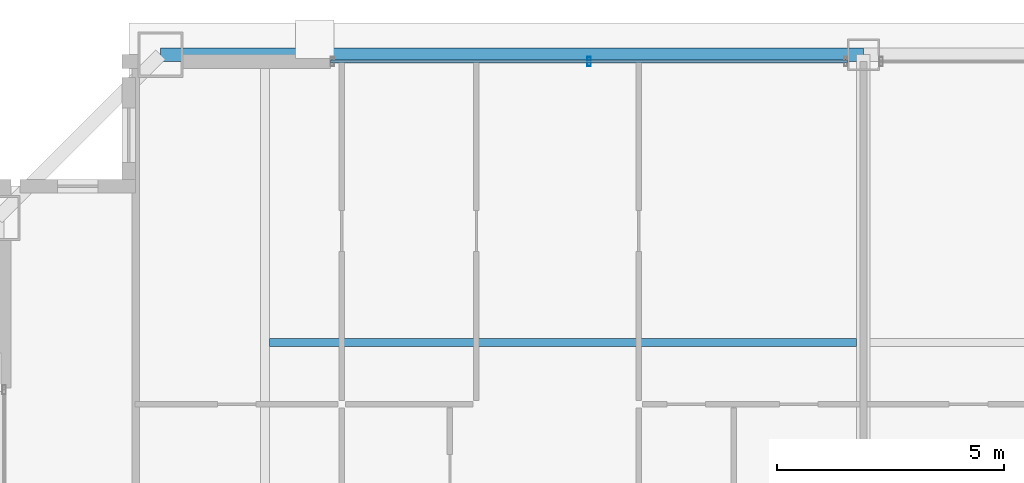
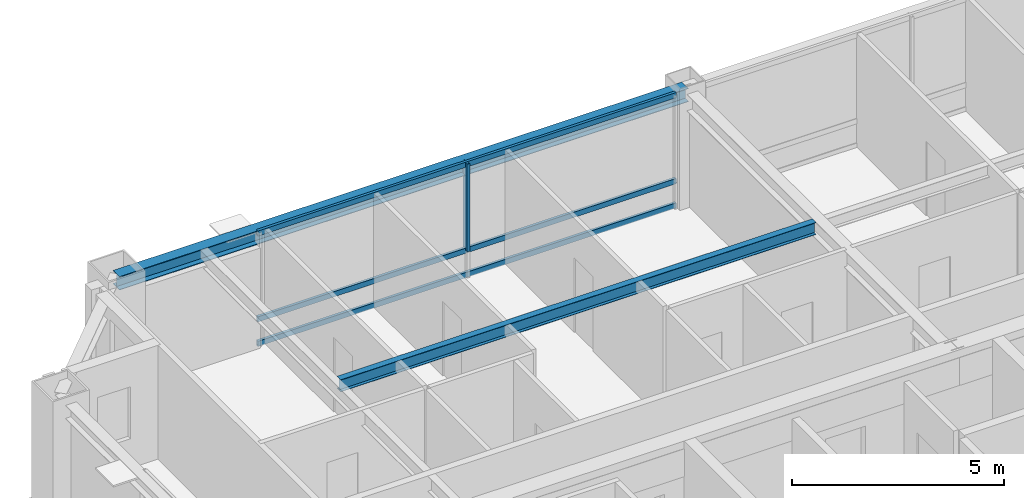
# One storey, part 17 of 35: 4 members, 2 beams, 1 element without a shape of its own.
"""IFC4 building model written with IfcOpenShell, lengths in metres."""

import ifcopenshell
import ifcopenshell.guid

model = None  # the IFC model being written
_history = None  # IfcOwnerHistory: only IFC2X3 demands one
_inside = {}  # id of a spatial element -> (the spatial element, [elements in it])
_under = {}  # id of a project, library or spatial element -> (it, [spatial elements below it])
_declared = {}  # id of a project -> (the project, [libraries it declares])
_typed = {}  # id of a type object -> (the type object, [elements of that type])
_made_of = {}  # id of a material, layer set ... -> (it, [elements and type objects made of it])


def new_model(schema):
    """Start an empty IFC model of exactly this schema.

    Asked for "IFC4X3", IfcOpenShell would pick the latest addendum, in which some entities
    have other attributes; the version numbers below select the first issue.
    IFC2X3 requires an IfcOwnerHistory on every rooted entity: one is made here for all.
    """
    global model, _history
    if schema == "IFC4X3":
        model = ifcopenshell.file(schema_version=(4, 3, 0, 0))
    else:
        model = ifcopenshell.file(schema=schema)
    _inside.clear()
    _under.clear()
    _declared.clear()
    _typed.clear()
    _made_of.clear()
    _history = None
    if model.schema == "IFC2X3":
        org = make("IfcOrganization", Name="unknown")
        user = make(
            "IfcPersonAndOrganization",
            ThePerson=make("IfcPerson", FamilyName="unknown"),
            TheOrganization=org,
        )
        app = make(
            "IfcApplication",
            ApplicationDeveloper=org,
            Version="unknown",
            ApplicationFullName="unknown",
            ApplicationIdentifier="unknown",
        )
        _history = make(
            "IfcOwnerHistory",
            OwningUser=user,
            OwningApplication=app,
            ChangeAction="ADDED",
            CreationDate=0,
        )
    return model


def make(cls, **values):
    """One entity of the class cls with the attributes given. An attribute that is None is left unset."""
    return model.create_entity(
        cls, **{name: value for name, value in values.items() if value is not None}
    )


def rooted(cls, **values):
    """An entity with a GlobalId (a new one), such as an element, a storey or a relation."""
    return make(cls, GlobalId=ifcopenshell.guid.new(), OwnerHistory=_history, **values)


def si_unit(unit_type, name, prefix=None):
    """IfcSIUnit, for example si_unit("LENGTHUNIT", "METRE", prefix="MILLI")."""
    return make("IfcSIUnit", UnitType=unit_type, Prefix=prefix, Name=name)


def assignment(units):
    """IfcUnitAssignment: the units of a project."""
    return None if units is None else make("IfcUnitAssignment", Units=units)


def point(xyz):
    """IfcCartesianPoint."""
    return None if xyz is None else make("IfcCartesianPoint", Coordinates=xyz)


def direction(xyz):
    """IfcDirection."""
    return None if xyz is None else make("IfcDirection", DirectionRatios=xyz)


def frame(location, z_axis=None, x_axis=None):
    """IfcAxis2Placement3D, a coordinate frame: its origin and axes. An axis left out is left unset."""
    return make(
        "IfcAxis2Placement3D",
        Location=point(location),
        Axis=direction(z_axis),
        RefDirection=direction(x_axis),
    )


def frame_2d(location, x_axis=None):
    """IfcAxis2Placement2D, a coordinate frame in the plane: its origin and x axis."""
    return make(
        "IfcAxis2Placement2D", Location=point(location), RefDirection=direction(x_axis)
    )


def origin():
    """The frame at (0, 0, 0) with its axes left unset."""
    return frame((0.0, 0.0, 0.0))


def origin_2d():
    """The frame at (0, 0) in the plane with its x axis left unset."""
    return frame_2d((0.0, 0.0))


def place(relative_to, where):
    """IfcLocalPlacement: puts the frame where relative to a parent placement (None: the world)."""
    return make(
        "IfcLocalPlacement", PlacementRelTo=relative_to, RelativePlacement=where
    )


def context(
    kind, dimensions, precision=None, world=None, true_north=None, identifier=None
):
    """IfcGeometricRepresentationContext, for example the 3D "Model" context."""
    return make(
        "IfcGeometricRepresentationContext",
        ContextIdentifier=identifier,
        ContextType=kind,
        CoordinateSpaceDimension=dimensions,
        Precision=precision,
        WorldCoordinateSystem=world,
        TrueNorth=true_north,
    )


def subcontext(parent, identifier, kind, view, scale=None):
    """IfcGeometricRepresentationSubContext, for example "Body" below "Model"."""
    return make(
        "IfcGeometricRepresentationSubContext",
        ContextIdentifier=identifier,
        ContextType=kind,
        ParentContext=parent,
        TargetScale=scale,
        TargetView=view,
    )


def project(units=None, contexts=None):
    """IfcProject with its units and contexts."""
    return rooted(
        "IfcProject",
        Name="project",
        RepresentationContexts=contexts,
        UnitsInContext=assignment(units),
    )


def spatial(cls, under=None, at=None, **own):
    """A site, building, storey or space (cls), placed at a placement, below another one or the project."""
    s = rooted(cls, ObjectPlacement=at, **own)
    if under is not None:
        _under.setdefault(under.id(), (under, []))[1].append(s)
    return s


def profile(cls, at=None, kind="AREA", **sizes):
    """A parametric profile (cls). Its sizes go by their IFC names, for example OverallWidth=200.0."""
    return make(cls, ProfileType=kind, Position=at, **sizes)


def hollow_rectangle(**sizes):
    """IfcRectangleHollowProfileDef."""
    return profile("IfcRectangleHollowProfileDef", **sizes)


def i_section(**sizes):
    """IfcIShapeProfileDef."""
    return profile("IfcIShapeProfileDef", **sizes)


def extrude(swept, where, along, depth):
    """IfcExtrudedAreaSolid: the profile swept, set in the frame where, extruded along a direction by depth."""
    return make(
        "IfcExtrudedAreaSolid",
        SweptArea=swept,
        Position=where,
        ExtrudedDirection=direction(along),
        Depth=depth,
    )


def shape(context_of_items, identifier, shape_type, items):
    """IfcShapeRepresentation: the items that make up one representation, for example the "Body"."""
    return make(
        "IfcShapeRepresentation",
        ContextOfItems=context_of_items,
        RepresentationIdentifier=identifier,
        RepresentationType=shape_type,
        Items=items,
    )


def source(mapping_origin, context_of_items, identifier, shape_type, items):
    """IfcRepresentationMap: a shape defined once, which mapped items show again and again."""
    return make(
        "IfcRepresentationMap",
        MappingOrigin=mapping_origin,
        MappedRepresentation=shape(context_of_items, identifier, shape_type, items),
    )


def transform(
    local_origin,
    x_axis=None,
    y_axis=None,
    z_axis=None,
    scale=None,
    scale2=None,
    scale3=None,
    uniform=True,
):
    """IfcCartesianTransformationOperator3D, or its non-uniform kind. x_axis, y_axis, z_axis: its Axis1, 2, 3."""
    if uniform:
        return make(
            "IfcCartesianTransformationOperator3D",
            Axis1=direction(x_axis),
            Axis2=direction(y_axis),
            LocalOrigin=point(local_origin),
            Scale=scale,
            Axis3=direction(z_axis),
        )
    return make(
        "IfcCartesianTransformationOperator3DnonUniform",
        Axis1=direction(x_axis),
        Axis2=direction(y_axis),
        LocalOrigin=point(local_origin),
        Scale=scale,
        Axis3=direction(z_axis),
        Scale2=scale2,
        Scale3=scale3,
    )


def mapped(mapping_source, mapping_target):
    """IfcMappedItem: shows the shape of a source again, moved by a transform."""
    return make(
        "IfcMappedItem", MappingSource=mapping_source, MappingTarget=mapping_target
    )


def material(Name=None, Category=None):
    """IfcMaterial."""
    return make("IfcMaterial", Name=Name, Category=Category)


def layer(
    of_material, thickness, ventilated=None, Name=None, Category=None, Priority=None
):
    """IfcMaterialLayer: one layer of a wall or slab, of a material (None: an air gap)."""
    return make(
        "IfcMaterialLayer",
        Material=of_material,
        LayerThickness=thickness,
        IsVentilated=ventilated,
        Name=Name,
        Category=Category,
        Priority=Priority,
    )


def layer_set(layers, Name=None):
    """IfcMaterialLayerSet."""
    return make("IfcMaterialLayerSet", MaterialLayers=layers, LayerSetName=Name)


def material_profile(
    of_material, cross_section, Name=None, Category=None, Priority=None
):
    """IfcMaterialProfile: a cross section and its material."""
    return make(
        "IfcMaterialProfile",
        Name=Name,
        Material=of_material,
        Profile=cross_section,
        Priority=Priority,
        Category=Category,
    )


def profile_set(profiles, Name=None, composite=None):
    """IfcMaterialProfileSet."""
    return make(
        "IfcMaterialProfileSet",
        Name=Name,
        MaterialProfiles=profiles,
        CompositeProfile=composite,
    )


def made_of(thing, what):
    """Note that an element or type object is made of a material, layer set ...; save() writes the relation."""
    if what is not None:
        _made_of.setdefault(what.id(), (what, []))[1].append(thing)
    return thing


def type_object(cls, material=None, **own):
    """A type object (cls), such as IfcWallType, which elements share."""
    return made_of(rooted(cls, **own), material)


def element(
    cls,
    number,
    at=None,
    inside=None,
    cuts=None,
    type_object=None,
    material=None,
    context=None,
    identifier="Body",
    shape_type=None,
    held_by="IfcProductDefinitionShape",
    body=None,
    shapes=None,
    **own,
):
    """One element of the class cls, such as IfcWall. Its Tag is "e" and its number.

    at: its placement. inside: the storey or other place that contains it. cuts: it is an
    opening in that element (IfcRelVoidsElement). A single representation is given by context,
    identifier, shape_type and body (its items); several are given by shapes. held_by: the class
    of the entity that holds the representations. save() writes the other relations.
    """
    e = rooted(cls, Tag="e%d" % number, ObjectPlacement=at, **own)
    if body is not None:
        shapes = [shape(context, identifier, shape_type, body)]
    if shapes is not None:
        e.Representation = make(held_by, Representations=shapes)
    if inside is not None:
        _inside.setdefault(inside.id(), (inside, []))[1].append(e)
    if cuts is not None:
        rooted(
            "IfcRelVoidsElement", RelatingBuildingElement=cuts, RelatedOpeningElement=e
        )
    if type_object is not None:
        _typed.setdefault(type_object.id(), (type_object, []))[1].append(e)
    return made_of(e, material)


def aggregate(whole, parts):
    """IfcRelAggregates: a whole, such as a stair, and the parts it consists of."""
    return rooted("IfcRelAggregates", RelatingObject=whole, RelatedObjects=parts)


def save(model, path):
    """Write the relations noted so far, then the file.

    IfcRelAggregates (storeys below a building ...), IfcRelContainedInSpatialStructure (elements
    in a storey), IfcRelDefinesByType, IfcRelAssociatesMaterial and IfcRelDeclares: one each for
    every whole, place, type object, material and project.
    """
    for whole, parts in _under.values():
        aggregate(whole, parts)
    for where, things in _inside.values():
        rooted(
            "IfcRelContainedInSpatialStructure",
            RelatedElements=things,
            RelatingStructure=where,
        )
    for kind, things in _typed.values():
        rooted("IfcRelDefinesByType", RelatedObjects=things, RelatingType=kind)
    for what, things in _made_of.values():
        rooted("IfcRelAssociatesMaterial", RelatedObjects=things, RelatingMaterial=what)
    for by, libraries in _declared.values():
        rooted("IfcRelDeclares", RelatingContext=by, RelatedDefinitions=libraries)
    model.write(path)


model = new_model("IFC4")

# Units and contexts
model_context = context("Model", 3, precision=1e-05, world=origin(), true_north=direction((0.0, 1.0)))
body_context = subcontext(model_context, "Body", "Model", "MODEL_VIEW")
ifc_project = project(units=[si_unit("LENGTHUNIT", "METRE"), si_unit("AREAUNIT", "SQUARE_METRE"), si_unit("VOLUMEUNIT", "CUBIC_METRE"), si_unit("PLANEANGLEUNIT", "RADIAN"), si_unit("MASSUNIT", "GRAM", prefix="KILO"), si_unit("THERMODYNAMICTEMPERATUREUNIT", "KELVIN"), si_unit("POWERUNIT", "WATT")], contexts=[model_context])

# Site, building, storey
site_placement = place(None, origin())
site = spatial("IfcSite", under=ifc_project, at=site_placement, CompositionType="ELEMENT")
building_placement = place(site_placement, origin())
building = spatial("IfcBuilding", under=site, at=building_placement, Name="Yuzanri Waterfront Tower", CompositionType="ELEMENT")
storey_placement = place(building_placement, frame((0.0, 0.0, 332.199951171875)))
storey = spatial("IfcBuildingStorey", under=building, at=storey_placement, Name="L89", CompositionType="ELEMENT", Elevation=332.199951171875)

# Beams
ifc_material_1 = material(Name="Steel Q355B", Category="steel")
ifc_material_profile_1 = material_profile(ifc_material_1, i_section(OverallWidth=0.175048828125, OverallDepth=0.35009765625, WebThickness=0.007080078125, FlangeThickness=0.010986328125, at=origin_2d()), Name="HN 350x175x7x11")
ifc_profile_set_1 = profile_set([ifc_material_profile_1], Name="Steel Q355B")
beam_type_1 = type_object("IfcBeamType", Name="Floor Joist Q355B HN 350x175", PredefinedType="JOIST", material=ifc_profile_set_1)
shared_shape_1 = source(origin(), body_context, "Body", "SweptSolid", [
    extrude(i_section(OverallWidth=0.175048828125, OverallDepth=0.35009765625, WebThickness=0.007080078125, FlangeThickness=0.010986328125, at=origin_2d()), origin(), (0.0, 0.0, 1.0), 12.9501953125),
])
beam_1_placement = place(storey_placement, frame((23.89990234375, 38.550048828125, 3.10498046875), z_axis=(1.0, 0.0, 0.0), x_axis=(0.0, 1.0, 0.0)))
element("IfcBeam", 1, at=beam_1_placement, inside=storey, type_object=beam_type_1, Name="L89 North Bay Joist W", PredefinedType="JOIST", context=body_context, shape_type="MappedRepresentation", body=[
    mapped(shared_shape_1, transform((0.0, 0.0, 0.0), scale=1.0)),
])
ifc_material_2 = material(Name="Steel Q355B", Category="steel")
ifc_material_profile_2 = material_profile(ifc_material_2, i_section(OverallWidth=0.300048828125, OverallDepth=0.389892578125, WebThickness=0.010009765625, FlangeThickness=0.01611328125, at=origin_2d()), Name="HM 390x300x10x16")
ifc_profile_set_2 = profile_set([ifc_material_profile_2], Name="Steel Q355B")
beam_type_2 = type_object("IfcBeamType", Name="Perimeter Spandrel Q355B HM 390x300", PredefinedType="SPANDREL", material=ifc_profile_set_2)
shared_shape_2 = source(origin(), body_context, "Body", "SweptSolid", [
    extrude(i_section(OverallWidth=0.300048828125, OverallDepth=0.389892578125, WebThickness=0.010009765625, FlangeThickness=0.01611328125, at=origin_2d()), origin(), (0.0, 0.0, 1.0), 15.5),
])
beam_2_placement = place(storey_placement, frame((37.0, 44.89990234375, 3.0849609375), z_axis=(-1.0, 0.0, 0.0), x_axis=(0.0, -1.0, 0.0)))
element("IfcBeam", 2, at=beam_2_placement, inside=storey, type_object=beam_type_2, Name="L89 Perimeter Spandrel N2-N1", PredefinedType="SPANDREL", context=body_context, shape_type="MappedRepresentation", body=[
    mapped(shared_shape_2, transform((0.0, 0.0, 0.0), scale=1.0)),
])

# Curtain wall, members
ifc_material_3 = material(Name="Anodized Architectural Bronze", Category="metal")
ifc_layer = layer(ifc_material_3, 0.159912109375)
ifc_layer_set = layer_set([ifc_layer], Name="Anodized Architectural Bronze")
curtain_wall_type = type_object("IfcCurtainWallType", Name="Anodized Bronze High-Rise Penthouse High-Wind Unitized Curtain Wall 6900", PredefinedType="NOTDEFINED", material=ifc_layer_set)
curtain_wall_placement = place(storey_placement, origin())
curtain_wall = element("IfcCurtainWall", 3, at=curtain_wall_placement, inside=storey, type_object=curtain_wall_type, Name="L89 Curtain Wall CW-L89-NL", PredefinedType="NOTDEFINED")
ifc_material_4 = material(Name="Anodized Architectural Bronze", Category="metal")
ifc_material_profile_3 = material_profile(ifc_material_4, hollow_rectangle(XDim=0.074951171875, YDim=0.199951171875, WallThickness=0.00390625, at=origin_2d()), Name="CWM 75x200")
ifc_profile_set_3 = profile_set([ifc_material_profile_3], Name="Anodized Architectural Bronze")
member_type_1 = type_object("IfcMemberType", Name="Anodized Bronze Primary Curtain-Wall Mullion 75x200", PredefinedType="MULLION", material=ifc_profile_set_3)
shared_shape_3 = source(origin(), body_context, "Body", "SweptSolid", [
    extrude(hollow_rectangle(XDim=0.074951171875, YDim=0.199951171875, WallThickness=0.00390625, at=origin_2d()), origin(), (0.0, 0.0, 1.0), 2.52392578125),
])
member_1_placement = place(storey_placement, frame((30.949951171875, 44.75, 0.756103515625), z_axis=(0.0, 0.0, 1.0), x_axis=(1.0, 0.0, 0.0)))
member_1 = element("IfcMember", 4, at=member_1_placement, type_object=member_type_1, Name="CW-L89-NL Upper Mullion 01", PredefinedType="MULLION", context=body_context, shape_type="MappedRepresentation", body=[
    mapped(shared_shape_3, transform((0.0, 0.0, 0.0), scale=1.0)),
])
ifc_material_5 = material(Name="Anodized Architectural Bronze", Category="metal")
ifc_material_profile_4 = material_profile(ifc_material_5, hollow_rectangle(XDim=0.074951171875, YDim=0.14990234375, WallThickness=0.00390625, at=origin_2d()), Name="CWT 75x150")
ifc_profile_set_4 = profile_set([ifc_material_profile_4], Name="Anodized Architectural Bronze")
member_type_2 = type_object("IfcMemberType", Name="Anodized Bronze Primary Curtain-Wall Transom 75x150", PredefinedType="USERDEFINED", material=ifc_profile_set_4)
shared_shape_4 = source(origin(), body_context, "Body", "SweptSolid", [
    extrude(hollow_rectangle(XDim=0.074951171875, YDim=0.14990234375, WallThickness=0.00390625, at=origin_2d()), origin(), (0.0, 0.0, 1.0), 11.39990234375),
])
member_2_placement = place(storey_placement, frame((25.25, 44.75, 0.050048828125), z_axis=(1.0, 0.0, 0.0), x_axis=(0.0, 1.0, 0.0)))
member_2 = element("IfcMember", 5, at=member_2_placement, type_object=member_type_2, Name="CW-L89-NL Transom 1", ObjectType="TRANSOM", PredefinedType="USERDEFINED", context=body_context, shape_type="MappedRepresentation", body=[
    mapped(shared_shape_4, transform((0.0, 0.0, 0.0), scale=1.0)),
])
member_3_placement = place(storey_placement, frame((25.25, 44.75, 0.754150390625), z_axis=(1.0, 0.0, 0.0), x_axis=(0.0, 1.0, 0.0)))
member_3 = element("IfcMember", 6, at=member_3_placement, type_object=member_type_2, Name="CW-L89-NL Transom 2", ObjectType="TRANSOM", PredefinedType="USERDEFINED", context=body_context, shape_type="MappedRepresentation", body=[
    mapped(shared_shape_4, transform((0.0, 0.0, 0.0), scale=1.0)),
])
member_4_placement = place(storey_placement, frame((25.25, 44.75, 3.22998046875), z_axis=(1.0, 0.0, 0.0), x_axis=(0.0, 1.0, 0.0)))
member_4 = element("IfcMember", 7, at=member_4_placement, type_object=member_type_2, Name="CW-L89-NL Transom 3", ObjectType="TRANSOM", PredefinedType="USERDEFINED", context=body_context, shape_type="MappedRepresentation", body=[
    mapped(shared_shape_4, transform((0.0, 0.0, 0.0), scale=1.0)),
])
aggregate(curtain_wall, [member_1, member_2, member_3, member_4])

save(model, "model.ifc")
